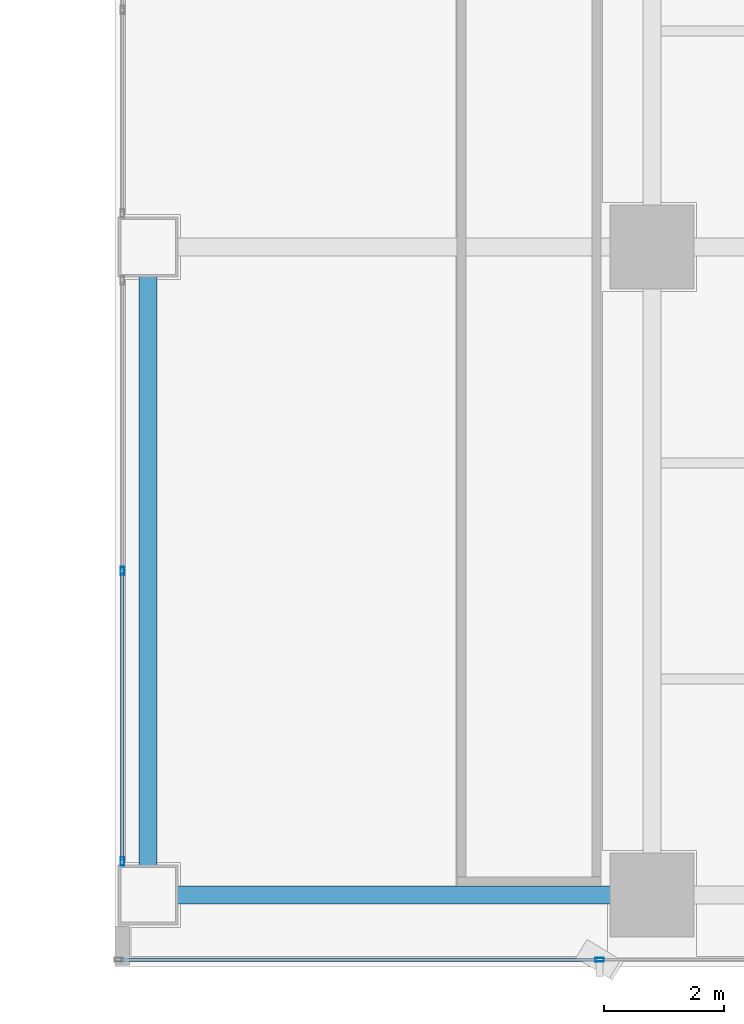
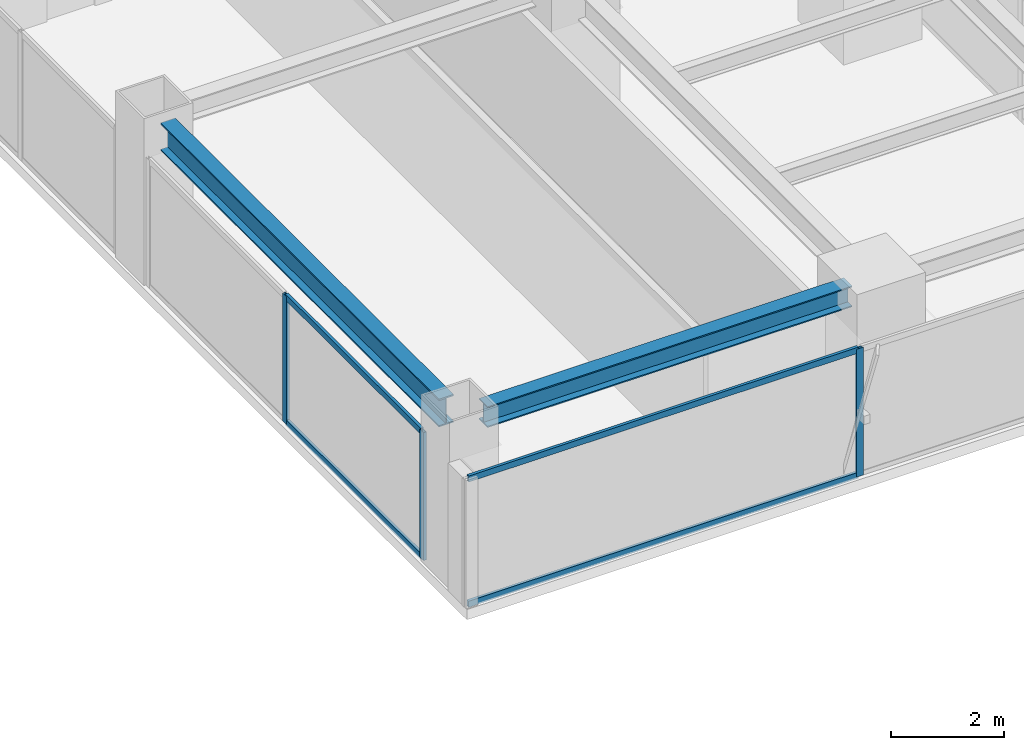
# One storey, part 12 of 29: 7 members, 2 beams, 2 elements without a shape of their own.
"""IFC4 building model written with IfcOpenShell, lengths in metres."""

from ifc_helpers import new_model, si_unit, direction, frame, origin, origin_2d, place, context, subcontext, project, spatial, hollow_rectangle, i_section, extrude, source, transform, mapped, material, layer, layer_set, material_profile, profile_set, type_object, element, aggregate, save


model = new_model("IFC4")

# Units and contexts
model_context = context("Model", 3, precision=1e-05, world=origin(), true_north=direction((0.0, 1.0)))
body_context = subcontext(model_context, "Body", "Model", "MODEL_VIEW")
ifc_project = project(units=[si_unit("LENGTHUNIT", "METRE"), si_unit("AREAUNIT", "SQUARE_METRE"), si_unit("VOLUMEUNIT", "CUBIC_METRE"), si_unit("PLANEANGLEUNIT", "RADIAN"), si_unit("MASSUNIT", "GRAM", prefix="KILO")], contexts=[model_context])

# Site, building, storey
site_placement = place(None, origin())
site = spatial("IfcSite", under=ifc_project, at=site_placement, CompositionType="ELEMENT")
building_placement = place(site_placement, origin())
building = spatial("IfcBuilding", under=site, at=building_placement, Name="Sumidabori Civic Tower", CompositionType="ELEMENT")
storey_placement = place(building_placement, frame((0.0, 0.0, 214.39990234375)))
storey = spatial("IfcBuildingStorey", under=building, at=storey_placement, Name="L55", CompositionType="ELEMENT", Elevation=214.39990234375)

# Beams
ifc_material_1 = material(Name="Steel SN490", Category="steel")
ifc_material_profile_1 = material_profile(ifc_material_1, i_section(OverallWidth=0.300048828125, OverallDepth=0.60009765625, WebThickness=0.015380859375, FlangeThickness=0.030029296875, at=origin_2d()), Name="HE 600 B")
ifc_profile_set_1 = profile_set([ifc_material_profile_1], Name="Steel SN490")
beam_type_1 = type_object("IfcBeamType", Name="BM-GIRD-600", PredefinedType="BEAM", material=ifc_profile_set_1)
shared_shape_1 = source(origin(), body_context, "Body", "SweptSolid", [
    extrude(i_section(OverallWidth=0.300048828125, OverallDepth=0.60009765625, WebThickness=0.015380859375, FlangeThickness=0.030029296875, at=origin_2d()), origin(), (0.0, 0.0, 1.0), 9.840087890625),
])
beam_1_placement = place(storey_placement, frame((8.39990234375, -10.320068359375, 3.080078125), z_axis=(0.0, 1.0, 0.0), x_axis=(-1.0, 0.0, 0.0)))
element("IfcBeam", 1, at=beam_1_placement, inside=storey, type_object=beam_type_1, Name="Primary Girder L55 GY-18", PredefinedType="BEAM", context=body_context, shape_type="MappedRepresentation", body=[
    mapped(shared_shape_1, transform((0.0, 0.0, 0.0), x_axis=(1.0, 0.0, 0.0), y_axis=(0.0, 1.0, 0.0), z_axis=(0.0, 0.0, 1.0), scale=1.0)),
])
ifc_material_profile_2 = material_profile(ifc_material_1, i_section(OverallWidth=0.300048828125, OverallDepth=0.449951171875, WebThickness=0.013916015625, FlangeThickness=0.02587890625, at=origin_2d()), Name="HE 450 B")
ifc_profile_set_2 = profile_set([ifc_material_profile_2], Name="Steel SN490")
beam_type_2 = type_object("IfcBeamType", Name="BM-GIRD-450", PredefinedType="BEAM", material=ifc_profile_set_2)
shared_shape_2 = source(origin(), body_context, "Body", "SweptSolid", [
    extrude(i_section(OverallWidth=0.300048828125, OverallDepth=0.449951171875, WebThickness=0.013916015625, FlangeThickness=0.02587890625, at=origin_2d()), origin(), (0.0, 0.0, 1.0), 7.440185546875),
])
beam_2_placement = place(storey_placement, frame((8.8798828125, -10.800048828125, 3.155029296875), z_axis=(1.0, 0.0, 0.0), x_axis=(0.0, 1.0, 0.0)))
element("IfcBeam", 2, at=beam_2_placement, inside=storey, type_object=beam_type_2, Name="Primary Girder L55 GX-03", PredefinedType="BEAM", context=body_context, shape_type="MappedRepresentation", body=[
    mapped(shared_shape_2, transform((0.0, 0.0, 0.0), x_axis=(1.0, 0.0, 0.0), y_axis=(0.0, 1.0, 0.0), z_axis=(0.0, 0.0, 1.0), scale=1.0)),
])

# Curtain wall, members
ifc_material_2 = material(Name="Anodised Bronze Aluminium AW-6063-T6", Category="aluminium")
ifc_layer_1 = layer(ifc_material_2, 0.179931640625, Name="Anodised Bronze Aluminium AW-6063-T6")
ifc_layer_set_1 = layer_set([ifc_layer_1], Name="Anodised Bronze Aluminium AW-6063-T6")
curtain_wall_type_1 = type_object("IfcCurtainWallType", Name="CW-SYS-4", PredefinedType="NOTDEFINED", material=ifc_layer_set_1)
curtain_wall_1_placement = place(storey_placement, origin())
curtain_wall_1 = element("IfcCurtainWall", 3, at=curtain_wall_1_placement, inside=storey, type_object=curtain_wall_type_1, Name="Curtain Wall CW:L55:R07", PredefinedType="NOTDEFINED")
ifc_material_profile_3 = material_profile(ifc_material_2, hollow_rectangle(XDim=0.06005859375, YDim=0.139892578125, WallThickness=0.0048828125, at=origin_2d()), Name="ALU MULLION 140x60")
ifc_profile_set_3 = profile_set([ifc_material_profile_3], Name="Anodised Bronze Aluminium AW-6063-T6")
member_type_1 = type_object("IfcMemberType", Name="CW-MUL-140", PredefinedType="MULLION", material=ifc_profile_set_3)
shared_shape_3 = source(origin(), body_context, "Body", "SweptSolid", [
    extrude(hollow_rectangle(XDim=0.06005859375, YDim=0.139892578125, WallThickness=0.0048828125, at=origin_2d()), origin(), (0.0, 0.0, 1.0), 2.760009765625),
])
member_1_placement = place(storey_placement, frame((7.969970703125, -5.39990234375, 0.0), z_axis=(0.0, 0.0, 1.0), x_axis=(1.0, 0.0, 0.0)))
member_1 = element("IfcMember", 4, at=member_1_placement, type_object=member_type_1, Name="CW-4 mullion 2", PredefinedType="MULLION", context=body_context, shape_type="MappedRepresentation", body=[
    mapped(shared_shape_3, transform((0.0, 0.0, 0.0), x_axis=(1.0, 0.0, 0.0), y_axis=(0.0, 1.0, 0.0), z_axis=(0.0, 0.0, 1.0), scale=1.0)),
])
member_2_placement = place(storey_placement, frame((7.969970703125, -10.239990234375, 0.0), z_axis=(0.0, 0.0, 1.0), x_axis=(1.0, 0.0, 0.0)))
member_2 = element("IfcMember", 5, at=member_2_placement, type_object=member_type_1, Name="CW-4 mullion 3", PredefinedType="MULLION", context=body_context, shape_type="MappedRepresentation", body=[
    mapped(shared_shape_3, transform((0.0, 0.0, 0.0), x_axis=(1.0, 0.0, 0.0), y_axis=(0.0, 1.0, 0.0), z_axis=(0.0, 0.0, 1.0), scale=1.0)),
])

ifc_layer_2 = layer(ifc_material_2, 0.179931640625, Name="Anodised Bronze Aluminium AW-6063-T6")
ifc_layer_set_2 = layer_set([ifc_layer_2], Name="Anodised Bronze Aluminium AW-6063-T6")
curtain_wall_type_2 = type_object("IfcCurtainWallType", Name="CW-SYS-5", PredefinedType="NOTDEFINED", material=ifc_layer_set_2)
curtain_wall_2_placement = place(storey_placement, origin())
curtain_wall_2 = element("IfcCurtainWall", 6, at=curtain_wall_2_placement, inside=storey, type_object=curtain_wall_type_2, Name="Curtain Wall CW:L55:R09", PredefinedType="NOTDEFINED")
member_3_placement = place(storey_placement, frame((15.925048828125, -11.8798828125, 0.0), z_axis=(0.0, 0.0, 1.0), x_axis=(0.0, 1.0, 0.0)))
member_3 = element("IfcMember", 7, at=member_3_placement, type_object=member_type_1, Name="CW-5 mullion 2", PredefinedType="MULLION", context=body_context, shape_type="MappedRepresentation", body=[
    mapped(shared_shape_3, transform((0.0, 0.0, 0.0), x_axis=(1.0, 0.0, 0.0), y_axis=(0.0, 1.0, 0.0), z_axis=(0.0, 0.0, 1.0), scale=1.0)),
])
ifc_material_profile_4 = material_profile(ifc_material_2, hollow_rectangle(XDim=0.06005859375, YDim=0.1298828125, WallThickness=0.0048828125, at=origin_2d()), Name="ALU TRANSOM 130x60")
ifc_profile_set_4 = profile_set([ifc_material_profile_4], Name="Anodised Bronze Aluminium AW-6063-T6")
member_type_2 = type_object("IfcMemberType", Name="CW-TRN-130", PredefinedType="USERDEFINED", material=ifc_profile_set_4)
shared_shape_4 = source(origin(), body_context, "Body", "SweptSolid", [
    extrude(hollow_rectangle(XDim=0.06005859375, YDim=0.1298828125, WallThickness=0.0048828125, at=origin_2d()), origin(), (0.0, 0.0, 1.0), 7.955078125),
])
member_4_placement = place(storey_placement, frame((7.93994140625, -11.8798828125, 0.030029296875), z_axis=(1.0, 0.0, 0.0), x_axis=(0.0, 1.0, 0.0)))
member_4 = element("IfcMember", 8, at=member_4_placement, type_object=member_type_2, Name="CW-5 transom 1.1", ObjectType="TRANSOM", PredefinedType="USERDEFINED", context=body_context, shape_type="MappedRepresentation", body=[
    mapped(shared_shape_4, transform((0.0, 0.0, 0.0), x_axis=(1.0, 0.0, 0.0), y_axis=(0.0, 1.0, 0.0), z_axis=(0.0, 0.0, 1.0), scale=1.0)),
])
member_5_placement = place(storey_placement, frame((7.93994140625, -11.8798828125, 2.72998046875), z_axis=(1.0, 0.0, 0.0), x_axis=(0.0, 1.0, 0.0)))
member_5 = element("IfcMember", 9, at=member_5_placement, type_object=member_type_2, Name="CW-5 transom 1.2", ObjectType="TRANSOM", PredefinedType="USERDEFINED", context=body_context, shape_type="MappedRepresentation", body=[
    mapped(shared_shape_4, transform((0.0, 0.0, 0.0), x_axis=(1.0, 0.0, 0.0), y_axis=(0.0, 1.0, 0.0), z_axis=(0.0, 0.0, 1.0), scale=1.0)),
])
aggregate(curtain_wall_2, [member_3, member_4, member_5])

# Member
shared_shape_5 = source(origin(), body_context, "Body", "SweptSolid", [
    extrude(hollow_rectangle(XDim=0.06005859375, YDim=0.1298828125, WallThickness=0.0048828125, at=origin_2d()), origin(), (0.0, 0.0, 1.0), 4.780029296875),
])
member_6_placement = place(storey_placement, frame((7.969970703125, -5.429931640625, 0.030029296875), z_axis=(0.0, -1.0, 0.0), x_axis=(1.0, 0.0, 0.0)))
member_6 = element("IfcMember", 10, at=member_6_placement, type_object=member_type_2, Name="CW-4 transom 2.1", ObjectType="TRANSOM", PredefinedType="USERDEFINED", context=body_context, shape_type="MappedRepresentation", body=[
    mapped(shared_shape_5, transform((0.0, 0.0, 0.0), x_axis=(1.0, 0.0, 0.0), y_axis=(0.0, 1.0, 0.0), z_axis=(0.0, 0.0, 1.0), scale=1.0)),
])

member_7_placement = place(storey_placement, frame((7.969970703125, -5.429931640625, 2.72998046875), z_axis=(0.0, -1.0, 0.0), x_axis=(1.0, 0.0, 0.0)))
member_7 = element("IfcMember", 11, at=member_7_placement, type_object=member_type_2, Name="CW-4 transom 2.2", ObjectType="TRANSOM", PredefinedType="USERDEFINED", context=body_context, shape_type="MappedRepresentation", body=[
    mapped(shared_shape_5, transform((0.0, 0.0, 0.0), x_axis=(1.0, 0.0, 0.0), y_axis=(0.0, 1.0, 0.0), z_axis=(0.0, 0.0, 1.0), scale=1.0)),
])

aggregate(curtain_wall_1, [member_1, member_2, member_6, member_7])

save(model, "model.ifc")
